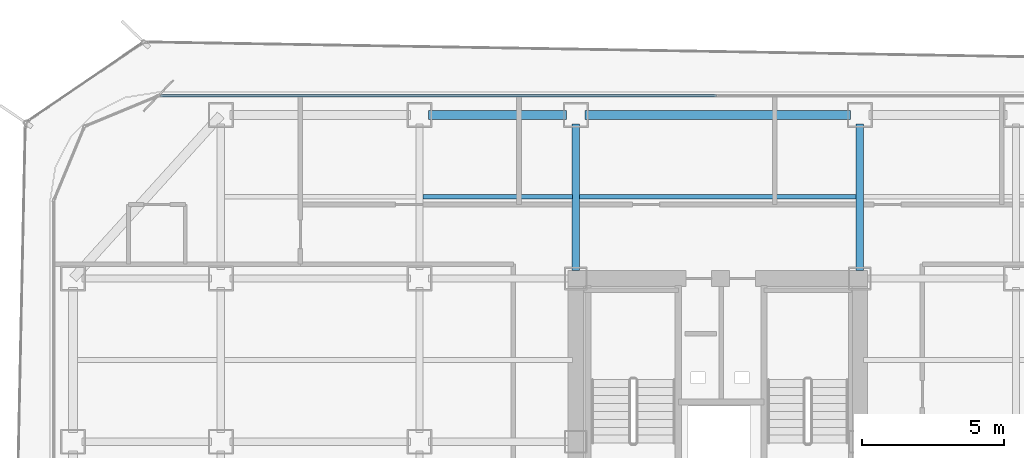
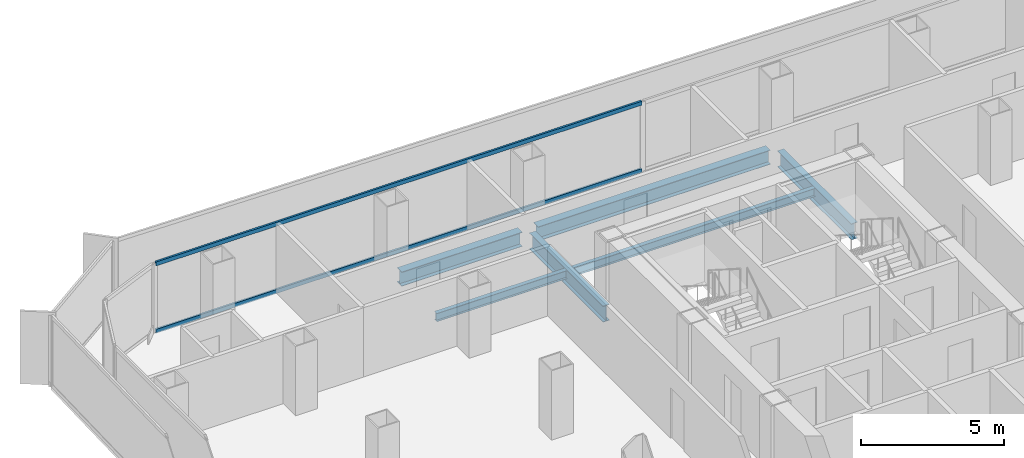
# One storey, part 11 of 21: 6 beams, 2 members, 1 element without a shape of its own.
"""IFC4 building model written with IfcOpenShell, lengths in metres."""

import ifcopenshell
import ifcopenshell.guid

model = None  # the IFC model being written
_history = None  # IfcOwnerHistory: only IFC2X3 demands one
_inside = {}  # id of a spatial element -> (the spatial element, [elements in it])
_under = {}  # id of a project, library or spatial element -> (it, [spatial elements below it])
_declared = {}  # id of a project -> (the project, [libraries it declares])
_typed = {}  # id of a type object -> (the type object, [elements of that type])
_made_of = {}  # id of a material, layer set ... -> (it, [elements and type objects made of it])


def new_model(schema):
    """Start an empty IFC model of exactly this schema.

    Asked for "IFC4X3", IfcOpenShell would pick the latest addendum, in which some entities
    have other attributes; the version numbers below select the first issue.
    IFC2X3 requires an IfcOwnerHistory on every rooted entity: one is made here for all.
    """
    global model, _history
    if schema == "IFC4X3":
        model = ifcopenshell.file(schema_version=(4, 3, 0, 0))
    else:
        model = ifcopenshell.file(schema=schema)
    _inside.clear()
    _under.clear()
    _declared.clear()
    _typed.clear()
    _made_of.clear()
    _history = None
    if model.schema == "IFC2X3":
        org = make("IfcOrganization", Name="unknown")
        user = make(
            "IfcPersonAndOrganization",
            ThePerson=make("IfcPerson", FamilyName="unknown"),
            TheOrganization=org,
        )
        app = make(
            "IfcApplication",
            ApplicationDeveloper=org,
            Version="unknown",
            ApplicationFullName="unknown",
            ApplicationIdentifier="unknown",
        )
        _history = make(
            "IfcOwnerHistory",
            OwningUser=user,
            OwningApplication=app,
            ChangeAction="ADDED",
            CreationDate=0,
        )
    return model


def make(cls, **values):
    """One entity of the class cls with the attributes given. An attribute that is None is left unset."""
    return model.create_entity(
        cls, **{name: value for name, value in values.items() if value is not None}
    )


def rooted(cls, **values):
    """An entity with a GlobalId (a new one), such as an element, a storey or a relation."""
    return make(cls, GlobalId=ifcopenshell.guid.new(), OwnerHistory=_history, **values)


def si_unit(unit_type, name, prefix=None):
    """IfcSIUnit, for example si_unit("LENGTHUNIT", "METRE", prefix="MILLI")."""
    return make("IfcSIUnit", UnitType=unit_type, Prefix=prefix, Name=name)


def assignment(units):
    """IfcUnitAssignment: the units of a project."""
    return None if units is None else make("IfcUnitAssignment", Units=units)


def point(xyz):
    """IfcCartesianPoint."""
    return None if xyz is None else make("IfcCartesianPoint", Coordinates=xyz)


def direction(xyz):
    """IfcDirection."""
    return None if xyz is None else make("IfcDirection", DirectionRatios=xyz)


def frame(location, z_axis=None, x_axis=None):
    """IfcAxis2Placement3D, a coordinate frame: its origin and axes. An axis left out is left unset."""
    return make(
        "IfcAxis2Placement3D",
        Location=point(location),
        Axis=direction(z_axis),
        RefDirection=direction(x_axis),
    )


def frame_2d(location, x_axis=None):
    """IfcAxis2Placement2D, a coordinate frame in the plane: its origin and x axis."""
    return make(
        "IfcAxis2Placement2D", Location=point(location), RefDirection=direction(x_axis)
    )


def origin():
    """The frame at (0, 0, 0) with its axes left unset."""
    return frame((0.0, 0.0, 0.0))


def origin_2d():
    """The frame at (0, 0) in the plane with its x axis left unset."""
    return frame_2d((0.0, 0.0))


def place(relative_to, where):
    """IfcLocalPlacement: puts the frame where relative to a parent placement (None: the world)."""
    return make(
        "IfcLocalPlacement", PlacementRelTo=relative_to, RelativePlacement=where
    )


def context(
    kind, dimensions, precision=None, world=None, true_north=None, identifier=None
):
    """IfcGeometricRepresentationContext, for example the 3D "Model" context."""
    return make(
        "IfcGeometricRepresentationContext",
        ContextIdentifier=identifier,
        ContextType=kind,
        CoordinateSpaceDimension=dimensions,
        Precision=precision,
        WorldCoordinateSystem=world,
        TrueNorth=true_north,
    )


def subcontext(parent, identifier, kind, view, scale=None):
    """IfcGeometricRepresentationSubContext, for example "Body" below "Model"."""
    return make(
        "IfcGeometricRepresentationSubContext",
        ContextIdentifier=identifier,
        ContextType=kind,
        ParentContext=parent,
        TargetScale=scale,
        TargetView=view,
    )


def project(units=None, contexts=None):
    """IfcProject with its units and contexts."""
    return rooted(
        "IfcProject",
        Name="project",
        RepresentationContexts=contexts,
        UnitsInContext=assignment(units),
    )


def spatial(cls, under=None, at=None, **own):
    """A site, building, storey or space (cls), placed at a placement, below another one or the project."""
    s = rooted(cls, ObjectPlacement=at, **own)
    if under is not None:
        _under.setdefault(under.id(), (under, []))[1].append(s)
    return s


def profile(cls, at=None, kind="AREA", **sizes):
    """A parametric profile (cls). Its sizes go by their IFC names, for example OverallWidth=200.0."""
    return make(cls, ProfileType=kind, Position=at, **sizes)


def hollow_rectangle(**sizes):
    """IfcRectangleHollowProfileDef."""
    return profile("IfcRectangleHollowProfileDef", **sizes)


def i_section(**sizes):
    """IfcIShapeProfileDef."""
    return profile("IfcIShapeProfileDef", **sizes)


def extrude(swept, where, along, depth):
    """IfcExtrudedAreaSolid: the profile swept, set in the frame where, extruded along a direction by depth."""
    return make(
        "IfcExtrudedAreaSolid",
        SweptArea=swept,
        Position=where,
        ExtrudedDirection=direction(along),
        Depth=depth,
    )


def shape(context_of_items, identifier, shape_type, items):
    """IfcShapeRepresentation: the items that make up one representation, for example the "Body"."""
    return make(
        "IfcShapeRepresentation",
        ContextOfItems=context_of_items,
        RepresentationIdentifier=identifier,
        RepresentationType=shape_type,
        Items=items,
    )


def source(mapping_origin, context_of_items, identifier, shape_type, items):
    """IfcRepresentationMap: a shape defined once, which mapped items show again and again."""
    return make(
        "IfcRepresentationMap",
        MappingOrigin=mapping_origin,
        MappedRepresentation=shape(context_of_items, identifier, shape_type, items),
    )


def transform(
    local_origin,
    x_axis=None,
    y_axis=None,
    z_axis=None,
    scale=None,
    scale2=None,
    scale3=None,
    uniform=True,
):
    """IfcCartesianTransformationOperator3D, or its non-uniform kind. x_axis, y_axis, z_axis: its Axis1, 2, 3."""
    if uniform:
        return make(
            "IfcCartesianTransformationOperator3D",
            Axis1=direction(x_axis),
            Axis2=direction(y_axis),
            LocalOrigin=point(local_origin),
            Scale=scale,
            Axis3=direction(z_axis),
        )
    return make(
        "IfcCartesianTransformationOperator3DnonUniform",
        Axis1=direction(x_axis),
        Axis2=direction(y_axis),
        LocalOrigin=point(local_origin),
        Scale=scale,
        Axis3=direction(z_axis),
        Scale2=scale2,
        Scale3=scale3,
    )


def mapped(mapping_source, mapping_target):
    """IfcMappedItem: shows the shape of a source again, moved by a transform."""
    return make(
        "IfcMappedItem", MappingSource=mapping_source, MappingTarget=mapping_target
    )


def material(Name=None, Category=None):
    """IfcMaterial."""
    return make("IfcMaterial", Name=Name, Category=Category)


def layer(
    of_material, thickness, ventilated=None, Name=None, Category=None, Priority=None
):
    """IfcMaterialLayer: one layer of a wall or slab, of a material (None: an air gap)."""
    return make(
        "IfcMaterialLayer",
        Material=of_material,
        LayerThickness=thickness,
        IsVentilated=ventilated,
        Name=Name,
        Category=Category,
        Priority=Priority,
    )


def layer_set(layers, Name=None):
    """IfcMaterialLayerSet."""
    return make("IfcMaterialLayerSet", MaterialLayers=layers, LayerSetName=Name)


def material_profile(
    of_material, cross_section, Name=None, Category=None, Priority=None
):
    """IfcMaterialProfile: a cross section and its material."""
    return make(
        "IfcMaterialProfile",
        Name=Name,
        Material=of_material,
        Profile=cross_section,
        Priority=Priority,
        Category=Category,
    )


def profile_set(profiles, Name=None, composite=None):
    """IfcMaterialProfileSet."""
    return make(
        "IfcMaterialProfileSet",
        Name=Name,
        MaterialProfiles=profiles,
        CompositeProfile=composite,
    )


def made_of(thing, what):
    """Note that an element or type object is made of a material, layer set ...; save() writes the relation."""
    if what is not None:
        _made_of.setdefault(what.id(), (what, []))[1].append(thing)
    return thing


def type_object(cls, material=None, **own):
    """A type object (cls), such as IfcWallType, which elements share."""
    return made_of(rooted(cls, **own), material)


def element(
    cls,
    number,
    at=None,
    inside=None,
    cuts=None,
    type_object=None,
    material=None,
    context=None,
    identifier="Body",
    shape_type=None,
    held_by="IfcProductDefinitionShape",
    body=None,
    shapes=None,
    **own,
):
    """One element of the class cls, such as IfcWall. Its Tag is "e" and its number.

    at: its placement. inside: the storey or other place that contains it. cuts: it is an
    opening in that element (IfcRelVoidsElement). A single representation is given by context,
    identifier, shape_type and body (its items); several are given by shapes. held_by: the class
    of the entity that holds the representations. save() writes the other relations.
    """
    e = rooted(cls, Tag="e%d" % number, ObjectPlacement=at, **own)
    if body is not None:
        shapes = [shape(context, identifier, shape_type, body)]
    if shapes is not None:
        e.Representation = make(held_by, Representations=shapes)
    if inside is not None:
        _inside.setdefault(inside.id(), (inside, []))[1].append(e)
    if cuts is not None:
        rooted(
            "IfcRelVoidsElement", RelatingBuildingElement=cuts, RelatedOpeningElement=e
        )
    if type_object is not None:
        _typed.setdefault(type_object.id(), (type_object, []))[1].append(e)
    return made_of(e, material)


def aggregate(whole, parts):
    """IfcRelAggregates: a whole, such as a stair, and the parts it consists of."""
    return rooted("IfcRelAggregates", RelatingObject=whole, RelatedObjects=parts)


def save(model, path):
    """Write the relations noted so far, then the file.

    IfcRelAggregates (storeys below a building ...), IfcRelContainedInSpatialStructure (elements
    in a storey), IfcRelDefinesByType, IfcRelAssociatesMaterial and IfcRelDeclares: one each for
    every whole, place, type object, material and project.
    """
    for whole, parts in _under.values():
        aggregate(whole, parts)
    for where, things in _inside.values():
        rooted(
            "IfcRelContainedInSpatialStructure",
            RelatedElements=things,
            RelatingStructure=where,
        )
    for kind, things in _typed.values():
        rooted("IfcRelDefinesByType", RelatedObjects=things, RelatingType=kind)
    for what, things in _made_of.values():
        rooted("IfcRelAssociatesMaterial", RelatedObjects=things, RelatingMaterial=what)
    for by, libraries in _declared.values():
        rooted("IfcRelDeclares", RelatingContext=by, RelatedDefinitions=libraries)
    model.write(path)


model = new_model("IFC4")

# Units and contexts
model_context = context("Model", 3, precision=1e-05, world=origin(), true_north=direction((0.0, 1.0)))
body_context = subcontext(model_context, "Body", "Model", "MODEL_VIEW")
ifc_project = project(units=[si_unit("LENGTHUNIT", "METRE"), si_unit("AREAUNIT", "SQUARE_METRE"), si_unit("VOLUMEUNIT", "CUBIC_METRE"), si_unit("PLANEANGLEUNIT", "RADIAN"), si_unit("MASSUNIT", "GRAM", prefix="KILO")], contexts=[model_context])

# Site, building, storey
site_placement = place(None, origin())
site = spatial("IfcSite", under=ifc_project, at=site_placement, CompositionType="ELEMENT")
building_placement = place(site_placement, origin())
building = spatial("IfcBuilding", under=site, at=building_placement, Name="Kolveth Station Tower", CompositionType="ELEMENT")
storey_placement = place(building_placement, frame((0.0, 0.0, 137.5)))
storey = spatial("IfcBuildingStorey", under=building, at=storey_placement, Name="L38", CompositionType="ELEMENT", Elevation=137.5)

# Beams
ifc_material_1 = material(Name="Steel S355", Category="steel")
ifc_material_profile_1 = material_profile(ifc_material_1, i_section(OverallWidth=0.323974609375, OverallDepth=0.611083984375, WebThickness=0.0126953125, FlangeThickness=0.01904296875, at=origin_2d()), Name="W610x155")
ifc_profile_set_1 = profile_set([ifc_material_profile_1], Name="Steel S355")
beam_type_1 = type_object("IfcBeamType", Name="Beam_SP2", PredefinedType="SPANDREL", material=ifc_profile_set_1)
shared_shape_1 = source(origin(), body_context, "Body", "SweptSolid", [
    extrude(i_section(OverallWidth=0.323974609375, OverallDepth=0.611083984375, WebThickness=0.0126953125, FlangeThickness=0.01904296875, at=origin_2d()), origin(), (0.0, 0.0, 1.0), 4.85986328125),
])
beam_1_placement = place(storey_placement, frame((13.320068359375, 34.5, -0.555419921875), z_axis=(1.0, 0.0, 0.0), x_axis=(0.0, 1.0, 0.0)))
element("IfcBeam", 1, at=beam_1_placement, inside=storey, type_object=beam_type_1, Name="L38 Perimeter Spandrel BM-L38-PN-2", PredefinedType="SPANDREL", context=body_context, shape_type="MappedRepresentation", body=[
    mapped(shared_shape_1, transform((0.0, 0.0, 0.0), x_axis=(1.0, 0.0, 0.0), y_axis=(0.0, 1.0, 0.0), z_axis=(0.0, 0.0, 1.0), scale=1.0)),
])
shared_shape_2 = source(origin(), body_context, "Body", "SweptSolid", [
    extrude(i_section(OverallWidth=0.323974609375, OverallDepth=0.611083984375, WebThickness=0.0126953125, FlangeThickness=0.01904296875, at=origin_2d()), origin(), (0.0, 0.0, 1.0), 9.35986328125),
])
beam_2_placement = place(storey_placement, frame((18.820068359375, 34.5, -0.555419921875), z_axis=(1.0, 0.0, 0.0), x_axis=(0.0, 1.0, 0.0)))
element("IfcBeam", 2, at=beam_2_placement, inside=storey, type_object=beam_type_1, Name="L38 Perimeter Spandrel BM-L38-PN-3", PredefinedType="SPANDREL", context=body_context, shape_type="MappedRepresentation", body=[
    mapped(shared_shape_2, transform((0.0, 0.0, 0.0), x_axis=(1.0, 0.0, 0.0), y_axis=(0.0, 1.0, 0.0), z_axis=(0.0, 0.0, 1.0), scale=1.0)),
])
ifc_material_profile_2 = material_profile(ifc_material_1, i_section(OverallWidth=0.25390625, OverallDepth=0.68798828125, WebThickness=0.01318359375, FlangeThickness=0.02099609375, at=origin_2d()), Name="W690x152")
ifc_profile_set_2 = profile_set([ifc_material_profile_2], Name="Steel S355")
beam_type_2 = type_object("IfcBeamType", Name="Beam_B4", PredefinedType="BEAM", material=ifc_profile_set_2)
shared_shape_3 = source(origin(), body_context, "Body", "SweptSolid", [
    extrude(i_section(OverallWidth=0.25390625, OverallDepth=0.68798828125, WebThickness=0.01318359375, FlangeThickness=0.02099609375, at=origin_2d()), origin(), (0.0, 0.0, 1.0), 5.14990234375),
])
for number, where, z_axis, x_axis, name in (
    (3, (18.5, 29.030029296875, -0.593994140625), (0.0, 1.0, 0.0), (-1.0, 0.0, 0.0), "L38 Primary Girder BM-L38-GX185-6"),
    (4, (28.5, 29.030029296875, -0.593994140625), (0.0, 1.0, 0.0), (-1.0, 0.0, 0.0), "L38 Primary Girder BM-L38-GX285-6"),
):
    element("IfcBeam", number, at=place(storey_placement, frame(where, z_axis=z_axis, x_axis=x_axis)), inside=storey, type_object=beam_type_2, Name=name, PredefinedType="BEAM", context=body_context, shape_type="MappedRepresentation", body=[
        mapped(shared_shape_3, transform((0.0, 0.0, 0.0), x_axis=(1.0, 0.0, 0.0), y_axis=(0.0, 1.0, 0.0), z_axis=(0.0, 0.0, 1.0), scale=1.0)),
    ])
ifc_material_profile_3 = material_profile(ifc_material_1, i_section(OverallWidth=0.1708984375, OverallDepth=0.35205078125, WebThickness=0.0068359375, FlangeThickness=0.009765625, at=origin_2d()), Name="W360x44")
ifc_profile_set_3 = profile_set([ifc_material_profile_3], Name="Steel S355")
beam_type_3 = type_object("IfcBeamType", Name="Beam_J2", PredefinedType="JOIST", material=ifc_profile_set_3)
shared_shape_4 = source(origin(), body_context, "Body", "SweptSolid", [
    extrude(i_section(OverallWidth=0.1708984375, OverallDepth=0.35205078125, WebThickness=0.0068359375, FlangeThickness=0.009765625, at=origin_2d()), origin(), (0.0, 0.0, 1.0), 5.25),
])
beam_3_placement = place(storey_placement, frame((13.125, 31.625, -0.426025390625), z_axis=(1.0, 0.0, 0.0), x_axis=(0.0, 1.0, 0.0)))
element("IfcBeam", 5, at=beam_3_placement, inside=storey, type_object=beam_type_3, Name="L38 Secondary Joist JST-L38-3-6", PredefinedType="JOIST", context=body_context, shape_type="MappedRepresentation", body=[
    mapped(shared_shape_4, transform((0.0, 0.0, 0.0), x_axis=(1.0, 0.0, 0.0), y_axis=(0.0, 1.0, 0.0), z_axis=(0.0, 0.0, 1.0), scale=1.0)),
])
shared_shape_5 = source(origin(), body_context, "Body", "SweptSolid", [
    extrude(i_section(OverallWidth=0.1708984375, OverallDepth=0.35205078125, WebThickness=0.0068359375, FlangeThickness=0.009765625, at=origin_2d()), origin(), (0.0, 0.0, 1.0), 9.75),
])
beam_4_placement = place(storey_placement, frame((18.625, 31.625, -0.426025390625), z_axis=(1.0, 0.0, 0.0), x_axis=(0.0, 1.0, 0.0)))
element("IfcBeam", 6, at=beam_4_placement, inside=storey, type_object=beam_type_3, Name="L38 Secondary Joist JST-L38-4-6", PredefinedType="JOIST", context=body_context, shape_type="MappedRepresentation", body=[
    mapped(shared_shape_5, transform((0.0, 0.0, 0.0), x_axis=(1.0, 0.0, 0.0), y_axis=(0.0, 1.0, 0.0), z_axis=(0.0, 0.0, 1.0), scale=1.0)),
])

# Curtain wall, members
ifc_material_2 = material(Name="Aluminium 6063-T6 and low-E dark glass", Category="aluminium")
ifc_layer = layer(ifc_material_2, 0.18994140625)
ifc_layer_set = layer_set([ifc_layer], Name="Aluminium 6063-T6 and low-E dark glass")
curtain_wall_type = type_object("IfcCurtainWallType", Name="CurtainWall_CW-Z2", PredefinedType="NOTDEFINED", material=ifc_layer_set)
curtain_wall_placement = place(storey_placement, origin())
curtain_wall = element("IfcCurtainWall", 7, at=curtain_wall_placement, inside=storey, type_object=curtain_wall_type, Name="L38 Inner Thermal Curtain Wall 6", PredefinedType="NOTDEFINED")
ifc_material_3 = material(Name="Black anodized aluminium 6063-T6", Category="aluminium")
ifc_material_profile_4 = material_profile(ifc_material_3, hollow_rectangle(XDim=0.080078125, YDim=0.169921875, WallThickness=0.0048828125, at=origin_2d()), Name="ALU-80x170x5")
ifc_profile_set_4 = profile_set([ifc_material_profile_4], Name="Black anodized aluminium 6063-T6")
member_type = type_object("IfcMemberType", Name="Transom_TR2", PredefinedType="USERDEFINED", material=ifc_profile_set_4)
shared_shape_6 = source(origin(), body_context, "Body", "SweptSolid", [
    extrude(hollow_rectangle(XDim=0.080078125, YDim=0.169921875, WallThickness=0.0048828125, at=origin_2d()), origin(), (0.0, 0.0, 1.0), 19.580078125),
])
member_1_placement = place(storey_placement, frame((23.4599609375, 35.179931640625, 0.0400390625), z_axis=(-1.0, 0.0, 0.0), x_axis=(0.0, -1.0, 0.0)))
member_1 = element("IfcMember", 8, at=member_1_placement, type_object=member_type, Name="CW-Z2 transom 2.1", ObjectType="TRANSOM", PredefinedType="USERDEFINED", context=body_context, shape_type="MappedRepresentation", body=[
    mapped(shared_shape_6, transform((0.0, 0.0, 0.0), x_axis=(1.0, 0.0, 0.0), y_axis=(0.0, 1.0, 0.0), z_axis=(0.0, 0.0, 1.0), scale=1.0)),
])
member_2_placement = place(storey_placement, frame((23.4599609375, 35.179931640625, 2.909912109375), z_axis=(-1.0, 0.0, 0.0), x_axis=(0.0, -1.0, 0.0)))
member_2 = element("IfcMember", 9, at=member_2_placement, type_object=member_type, Name="CW-Z2 transom 2.2", ObjectType="TRANSOM", PredefinedType="USERDEFINED", context=body_context, shape_type="MappedRepresentation", body=[
    mapped(shared_shape_6, transform((0.0, 0.0, 0.0), x_axis=(1.0, 0.0, 0.0), y_axis=(0.0, 1.0, 0.0), z_axis=(0.0, 0.0, 1.0), scale=1.0)),
])
aggregate(curtain_wall, [member_1, member_2])

save(model, "model.ifc")
